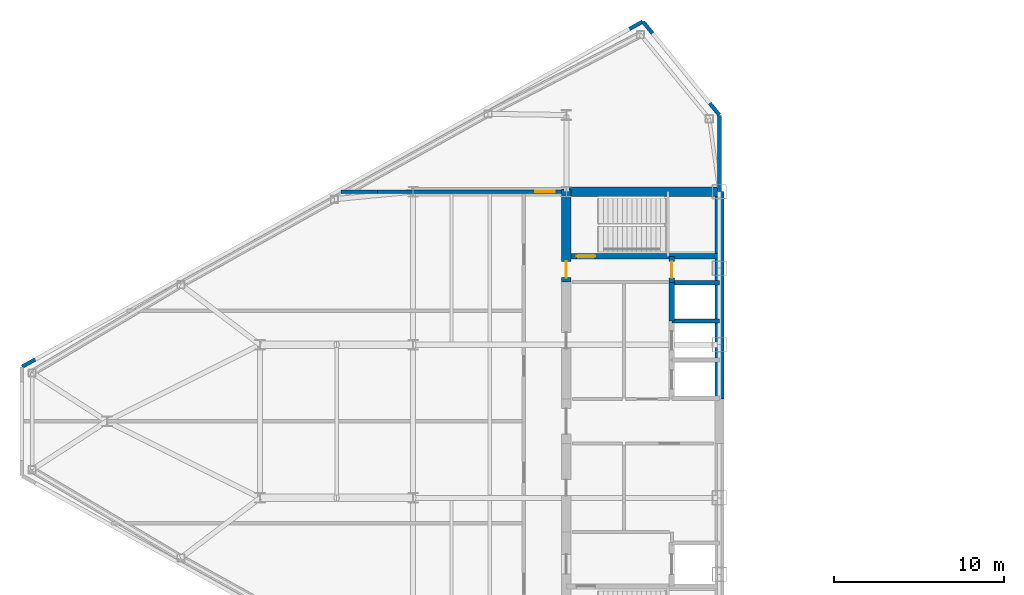
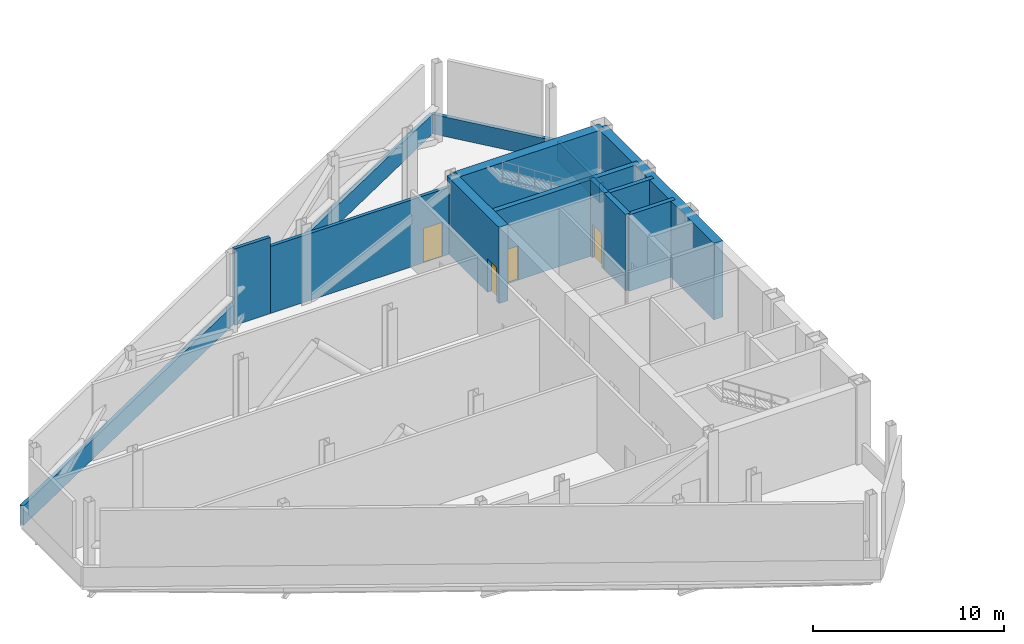
# One storey, part 7 of 11: 13 walls, 4 doors, 4 openings.
"""IFC4 building model written with IfcOpenShell, lengths in metres."""

from ifc_helpers import new_model, si_unit, direction, frame, frame_2d, origin, place, context, subcontext, project, spatial, rectangle, extrude, source, transform, mapped, material, layer, layer_set, type_object, type_shapes, element, fill, save


model = new_model("IFC4")

# Units and contexts
model_context = context("Model", 3, precision=1e-05, world=origin(), true_north=direction((0.0, 1.0)))
body_context = subcontext(model_context, "Body", "Model", "MODEL_VIEW")
ifc_project = project(units=[si_unit("LENGTHUNIT", "METRE"), si_unit("AREAUNIT", "SQUARE_METRE"), si_unit("VOLUMEUNIT", "CUBIC_METRE"), si_unit("PLANEANGLEUNIT", "RADIAN"), si_unit("MASSUNIT", "GRAM", prefix="KILO")], contexts=[model_context])

# Site, building, storey
site_placement = place(None, origin())
site = spatial("IfcSite", under=ifc_project, at=site_placement, CompositionType="ELEMENT")
building_placement = place(site_placement, origin())
building = spatial("IfcBuilding", under=site, at=building_placement, Name="Seokmaru Belvedere", CompositionType="ELEMENT")
storey_placement = place(building_placement, frame((0.0, 0.0, 162.0)))
storey = spatial("IfcBuildingStorey", under=building, at=storey_placement, Name="L43", CompositionType="ELEMENT", Elevation=162.0)

# Walls
ifc_material_1 = material(Name="Concrete C50 (50 MPa)", Category="concrete")
ifc_layer_1 = layer(ifc_material_1, 0.25)
ifc_layer_set_1 = layer_set([ifc_layer_1], Name="Concrete C50 (50 MPa)")
wall_type_1 = type_object("IfcWallType", Name="Hoistway Transverse Concrete Divider Wall 250", PredefinedType="SHEAR", material=ifc_layer_set_1)
for number, where, z_axis, x_axis, name in (
    (1, (-30.300048828125, 5.89990234375, 0.0), (0.0, 0.0, 1.0), (1.0, 0.0, 0.0), "L43 West Hoistway Divider Core Wall 4"),
    (2, (-30.300048828125, 8.14990234375, 0.0), (0.0, 0.0, 1.0), (1.0, 0.0, 0.0), "L43 West Hoistway Divider Core Wall 5"),
):
    element("IfcWall", number, at=place(storey_placement, frame(where, z_axis=z_axis, x_axis=x_axis)), inside=storey, type_object=wall_type_1, Name=name, PredefinedType="SHEAR", context=body_context, shape_type="SweptSolid", body=[
        extrude(rectangle(XDim=2.800048828125, YDim=0.25, at=frame_2d((1.39990234375, 0.0))), origin(), (0.0, 0.0, 1.0), 4.8798828125),
    ])
ifc_material_2 = material(Name="Fire-Rated Gypsum Shaftwall")
ifc_layer_2 = layer(ifc_material_2, 0.199951171875)
ifc_layer_set_2 = layer_set([ifc_layer_2], Name="Fire-Rated Gypsum Shaftwall")
wall_type_2 = type_object("IfcWallType", Name="Inter-Tenancy Fire Compartment Partition 200", PredefinedType="PARTITIONING", material=ifc_layer_set_2)
wall_1_placement = place(storey_placement, frame((-49.74365234375, 13.5, 0.0), z_axis=(0.0, 0.0, 1.0), x_axis=(1.0, 0.0, 0.0)))
element("IfcWall", 3, at=wall_1_placement, inside=storey, type_object=wall_type_2, Name="L43 Interior Partition 009", PredefinedType="PARTITIONING", context=body_context, shape_type="SweptSolid", body=[
    extrude(rectangle(XDim=2.15625, YDim=0.199951171875, at=frame_2d((1.078125, 0.0))), origin(), (0.0, 0.0, 1.0), 4.8798828125),
])

# Wall, opening, door
wall_2_placement = place(storey_placement, frame((-47.58740234375, 13.5, 0.0), z_axis=(0.0, 0.0, 1.0), x_axis=(1.0, 0.0, 0.0)))
wall_2 = element("IfcWall", 4, at=wall_2_placement, inside=storey, type_object=wall_type_2, Name="L43 Interior Partition 009 Part 2", PredefinedType="PARTITIONING", context=body_context, shape_type="SweptSolid", body=[
    extrude(rectangle(XDim=10.807373046875, YDim=0.199951171875, at=frame_2d((5.40380859375, 0.0))), origin(), (0.0, 0.0, 1.0), 4.280029296875),
])
opening_1_placement = place(wall_2_placement, frame((9.26220703125, 0.0, 0.0)))
opening_1 = element("IfcOpeningElement", 5, at=opening_1_placement, cuts=wall_2, Name="Opening D02", PredefinedType="OPENING", context=body_context, shape_type="SweptSolid", body=[
    extrude(rectangle(XDim=1.14990234375, YDim=2.199951171875, at=frame_2d((0.574951171875, 1.10009765625))), frame((0.0, 0.10986328125, 0.0), z_axis=(0.0, -1.0, 0.0), x_axis=(1.0, 0.0, 0.0)), (0.0, 0.0, 1.0), 0.219970703125),
])
ifc_material_3 = material(Name="Fire-Rated Steel Leaf", Category="steel")
door_type_1 = type_object("IfcDoorType", Name="Lobby and Vestibule Fire Door 1150x2200", OperationType="NOTDEFINED", PredefinedType="DOOR", material=ifc_material_3)
shared_shape_1 = source(origin(), body_context, "Body", "SweptSolid", [
    extrude(rectangle(XDim=1.14990234375, YDim=2.199951171875, at=frame_2d((0.574951171875, 1.10009765625))), frame((0.0, 0.02490234375, 0.0), z_axis=(0.0, -1.0, 0.0), x_axis=(1.0, 0.0, 0.0)), (0.0, 0.0, 1.0), 0.050048828125),
])
type_shapes(door_type_1, [shared_shape_1])
door_1_placement = place(opening_1_placement, origin())
door_1 = element("IfcDoor", 6, at=door_1_placement, inside=storey, type_object=door_type_1, Name="L43 Interior Door 002", OperationType="SINGLE_SWING_RIGHT", OverallHeight=2.199951171875, OverallWidth=1.14990234375, PredefinedType="DOOR", context=body_context, shape_type="MappedRepresentation", body=[
    mapped(shared_shape_1, transform((0.0, 0.0, 0.0), scale=1.0)),
])
fill(opening_1, door_1)

ifc_layer_3 = layer(ifc_material_1, 0.300048828125)
ifc_layer_set_3 = layer_set([ifc_layer_3], Name="Concrete C50 (50 MPa)")
wall_type_3 = type_object("IfcWallType", Name="Internal Core Stair and Hoistway Wall 300", PredefinedType="SHEAR", material=ifc_layer_set_3)
wall_3_placement = place(storey_placement, frame((-36.5, 9.699951171875, 0.0), z_axis=(0.0, 0.0, 1.0), x_axis=(1.0, 0.0, 0.0)))
wall_3 = element("IfcWall", 7, at=wall_3_placement, inside=storey, type_object=wall_type_3, Name="L43 West Stair ST-2 Enclosure Wall", PredefinedType="SHEAR", context=body_context, shape_type="SweptSolid", body=[
    extrude(rectangle(XDim=9.0, YDim=0.300048828125, at=frame_2d((4.5, 0.0))), origin(), (0.0, 0.0, 1.0), 4.8798828125),
])
opening_2_placement = place(wall_3_placement, frame((0.60009765625, 0.0, 0.0)))
opening_2 = element("IfcOpeningElement", 8, at=opening_2_placement, cuts=wall_3, Name="Opening D01", PredefinedType="OPENING", context=body_context, shape_type="SweptSolid", body=[
    extrude(rectangle(XDim=1.10009765625, YDim=2.199951171875, at=frame_2d((0.550048828125, 1.10009765625))), frame((0.0, 0.16015625, 0.0), z_axis=(0.0, -1.0, 0.0), x_axis=(1.0, 0.0, 0.0)), (0.0, 0.0, 1.0), 0.320068359375),
])
door_type_2 = type_object("IfcDoorType", Name="Special Escape Stair Smokeproof Fire Door 1100x2200", OperationType="NOTDEFINED", PredefinedType="DOOR", material=ifc_material_3)
shared_shape_2 = source(origin(), body_context, "Body", "SweptSolid", [
    extrude(rectangle(XDim=1.10009765625, YDim=2.199951171875, at=frame_2d((0.550048828125, 1.10009765625))), frame((0.0, 0.02490234375, 0.0), z_axis=(0.0, -1.0, 0.0), x_axis=(1.0, 0.0, 0.0)), (0.0, 0.0, 1.0), 0.050048828125),
])
type_shapes(door_type_2, [shared_shape_2])
door_2_placement = place(opening_2_placement, origin())
door_2 = element("IfcDoor", 9, at=door_2_placement, inside=storey, type_object=door_type_2, Name="L43 West Special Escape Stair ST-2 Door", OperationType="SINGLE_SWING_RIGHT", OverallHeight=2.199951171875, OverallWidth=1.10009765625, PredefinedType="DOOR", context=body_context, shape_type="MappedRepresentation", body=[
    mapped(shared_shape_2, transform((0.0, 0.0, 0.0), scale=1.0)),
])
fill(opening_2, door_2)

# Wall
wall_4_placement = place(storey_placement, frame((-30.300048828125, 5.89990234375, 0.0), z_axis=(0.0, 0.0, 1.0), x_axis=(0.0, 1.0, 0.0)))
element("IfcWall", 10, at=wall_4_placement, inside=storey, type_object=wall_type_3, Name="L43 West North Hoistway Wall OBS", PredefinedType="SHEAR", context=body_context, shape_type="SweptSolid", body=[
    extrude(rectangle(XDim=2.25, YDim=0.300048828125, at=frame_2d((1.125, 0.0))), origin(), (0.0, 0.0, 1.0), 4.8798828125),
])

# Wall, opening, door
wall_5_placement = place(storey_placement, frame((-30.300048828125, 8.14990234375, 0.0), z_axis=(0.0, 0.0, 1.0), x_axis=(0.0, 1.0, 0.0)))
wall_5 = element("IfcWall", 11, at=wall_5_placement, inside=storey, type_object=wall_type_3, Name="L43 West Electrical Riser Front Wall", PredefinedType="SHEAR", context=body_context, shape_type="SweptSolid", body=[
    extrude(rectangle(XDim=1.530029296875, YDim=0.300048828125, at=frame_2d((0.76513671875, 0.0))), origin(), (0.0, 0.0, 1.0), 4.8798828125),
])
opening_3_placement = place(wall_5_placement, frame((0.284912109375, 0.0, 0.0)))
opening_3 = element("IfcOpeningElement", 12, at=opening_3_placement, cuts=wall_5, Name="Opening D04", PredefinedType="OPENING", context=body_context, shape_type="SweptSolid", body=[
    extrude(rectangle(XDim=0.949951171875, YDim=2.14990234375, at=frame_2d((0.47509765625, 1.074951171875))), frame((0.0, 0.16015625, 0.0), z_axis=(0.0, -1.0, 0.0), x_axis=(1.0, 0.0, 0.0)), (0.0, 0.0, 1.0), 0.320068359375),
])
door_type_3 = type_object("IfcDoorType", Name="Core Service Room Fire Door 950x2150", OperationType="NOTDEFINED", PredefinedType="DOOR", material=ifc_material_3)
shared_shape_3 = source(origin(), body_context, "Body", "SweptSolid", [
    extrude(rectangle(XDim=0.949951171875, YDim=2.14990234375, at=frame_2d((0.47509765625, 1.074951171875))), frame((0.0, 0.02490234375, 0.0), z_axis=(0.0, -1.0, 0.0), x_axis=(1.0, 0.0, 0.0)), (0.0, 0.0, 1.0), 0.050048828125),
])
type_shapes(door_type_3, [shared_shape_3])
door_3_placement = place(opening_3_placement, origin())
door_3 = element("IfcDoor", 13, at=door_3_placement, inside=storey, type_object=door_type_3, Name="L43 West Electrical Riser Access Door", OperationType="SINGLE_SWING_LEFT", OverallHeight=2.14990234375, OverallWidth=0.949951171875, PredefinedType="DOOR", context=body_context, shape_type="MappedRepresentation", body=[
    mapped(shared_shape_3, transform((0.0, 0.0, 0.0), scale=1.0)),
])
fill(opening_3, door_3)

# Walls
ifc_layer_4 = layer(ifc_material_1, 0.550048828125)
ifc_layer_set_4 = layer_set([ifc_layer_4], Name="Concrete C50 (50 MPa)")
wall_type_4 = type_object("IfcWallType", Name="Mid-High Reinforced Concrete Core Wall 550", PredefinedType="SHEAR", material=ifc_layer_set_4)
wall_6_placement = place(storey_placement, frame((-27.5, 1.300048828125, 0.0), z_axis=(0.0, 0.0, 1.0), x_axis=(0.0, 1.0, 0.0)))
element("IfcWall", 14, at=wall_6_placement, inside=storey, type_object=wall_type_4, Name="L43 West Portal Spine Core Wall North", PredefinedType="SHEAR", context=body_context, shape_type="SweptSolid", body=[
    extrude(rectangle(XDim=12.199951171875, YDim=0.550048828125, at=frame_2d((6.10009765625, 0.0))), origin(), (0.0, 0.0, 1.0), 4.8798828125),
])
wall_7_placement = place(storey_placement, frame((-36.5, 13.5, 0.0), z_axis=(0.0, 0.0, 1.0), x_axis=(1.0, 0.0, 0.0)))
element("IfcWall", 15, at=wall_7_placement, inside=storey, type_object=wall_type_4, Name="L43 West North Core Wall", PredefinedType="SHEAR", context=body_context, shape_type="SweptSolid", body=[
    extrude(rectangle(XDim=9.0, YDim=0.550048828125, at=frame_2d((4.5, 0.0))), origin(), (0.0, 0.0, 1.0), 4.8798828125),
])

# Wall, opening, door
wall_8_placement = place(storey_placement, frame((-36.5, 8.199951171875, 0.0), z_axis=(0.0, 0.0, 1.0), x_axis=(0.0, 1.0, 0.0)))
wall_8 = element("IfcWall", 16, at=wall_8_placement, inside=storey, type_object=wall_type_4, Name="L43 West West Core Wall VST", PredefinedType="SHEAR", context=body_context, shape_type="SweptSolid", body=[
    extrude(rectangle(XDim=5.449951171875, YDim=0.550048828125, at=frame_2d((2.72509765625, 0.0))), origin(), (0.0, 0.0, 1.0), 4.8798828125),
])
opening_4_placement = place(wall_8_placement, frame((0.2451171875, 0.0, 0.0)))
opening_4 = element("IfcOpeningElement", 17, at=opening_4_placement, cuts=wall_8, Name="Opening D04", PredefinedType="OPENING", context=body_context, shape_type="SweptSolid", body=[
    extrude(rectangle(XDim=0.949951171875, YDim=2.14990234375, at=frame_2d((0.47509765625, 1.074951171875))), frame((0.0, 0.28515625, 0.0), z_axis=(0.0, -1.0, 0.0), x_axis=(1.0, 0.0, 0.0)), (0.0, 0.0, 1.0), 0.570068359375),
])
door_4_placement = place(opening_4_placement, frame((0.949951171875, 0.0, 0.0), z_axis=(0.0, 0.0, 1.0), x_axis=(-1.0, 0.0, 0.0)))
door_4 = element("IfcDoor", 18, at=door_4_placement, inside=storey, type_object=door_type_3, Name="L43 West Smokeproof Vestibule Door", OperationType="SINGLE_SWING_RIGHT", OverallHeight=2.14990234375, OverallWidth=0.949951171875, PredefinedType="DOOR", context=body_context, shape_type="MappedRepresentation", body=[
    mapped(shared_shape_3, transform((0.0, 0.0, 0.0), scale=1.0)),
])
fill(opening_4, door_4)

# Walls
ifc_material_4 = material(Name="Concrete C40 (40 MPa)", Category="concrete")
ifc_layer_5 = layer(ifc_material_4, 0.219970703125)
ifc_layer_set_5 = layer_set([ifc_layer_5], Name="Concrete C40 (40 MPa)")
wall_type_5 = type_object("IfcWallType", Name="Refuge and Roof Concrete Parapet 220", PredefinedType="PARAPET", material=ifc_layer_set_5)
wall_9_placement = place(storey_placement, frame((-27.5, 13.52001953125, 0.0), z_axis=(0.0, 0.0, 1.0), x_axis=(0.0, 1.0, 0.0)))
element("IfcWall", 19, at=wall_9_placement, inside=storey, type_object=wall_type_5, Name="L43 W Refuge Spine Shoulder Parapet 2", PredefinedType="PARAPET", context=body_context, shape_type="SweptSolid", body=[
    extrude(rectangle(XDim=4.4599609375, YDim=0.219970703125, at=frame_2d((2.22998046875, 0.0))), origin(), (0.0, 0.0, 1.0), 1.25),
])
wall_10_placement = place(storey_placement, frame((-27.5126953125, 18.015380859375, 0.0), z_axis=(0.0, 0.0, 1.0), x_axis=(-0.633218976113, 0.773972692213, 0.0)))
element("IfcWall", 20, at=wall_10_placement, inside=storey, type_object=wall_type_5, Name="L43 W Refuge Perimeter Parapet 2", PredefinedType="PARAPET", context=body_context, shape_type="SweptSolid", body=[
    extrude(rectangle(XDim=7.06640625, YDim=0.219970703125, at=frame_2d((3.533203125, 0.0))), origin(), (0.0, 0.0, 1.0), 1.25),
])
wall_11_placement = place(storey_placement, frame((-32.017578125, 23.490234375, 0.0), z_axis=(0.0, 0.0, 1.0), x_axis=(-0.873930586172, -0.486050748947, 0.0)))
element("IfcWall", 21, at=wall_11_placement, inside=storey, type_object=wall_type_5, Name="L43 W Refuge Perimeter Parapet 3", PredefinedType="PARAPET", context=body_context, shape_type="SweptSolid", body=[
    extrude(rectangle(XDim=41.72509765625, YDim=0.219970703125, at=frame_2d((20.862548828125, 0.0))), origin(), (0.0, 0.0, 1.0), 1.25),
])

save(model, "model.ifc")
